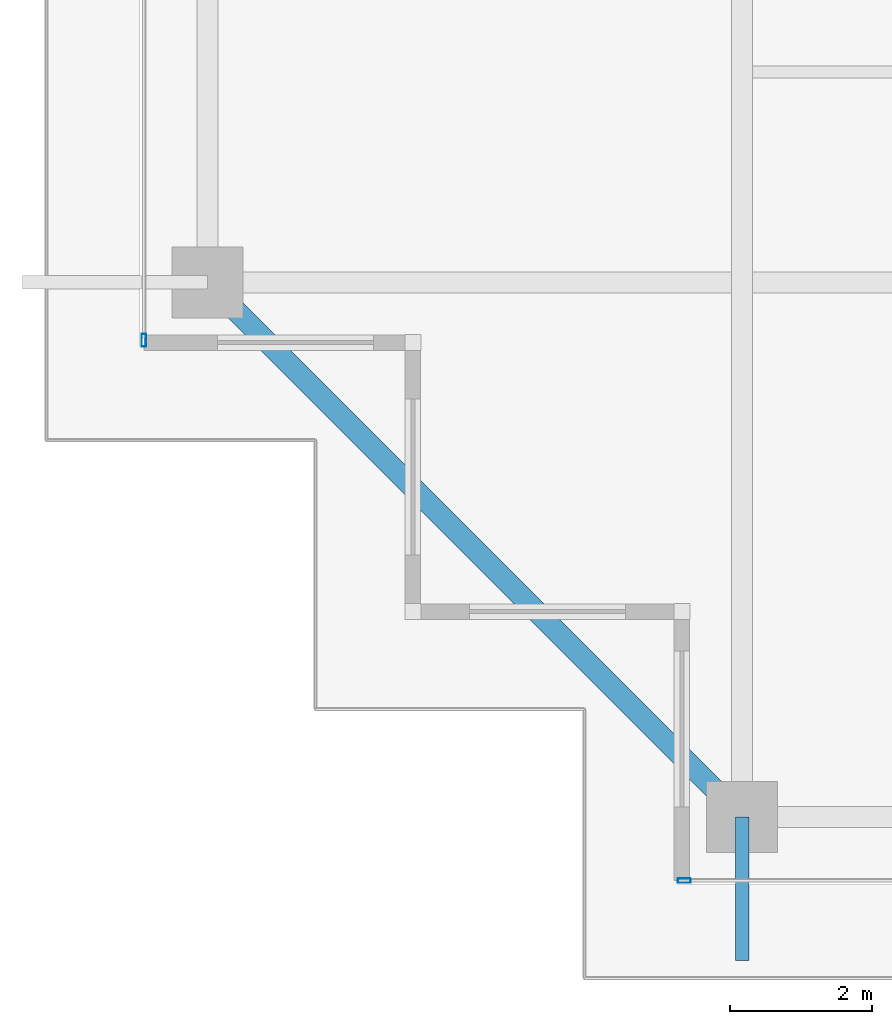
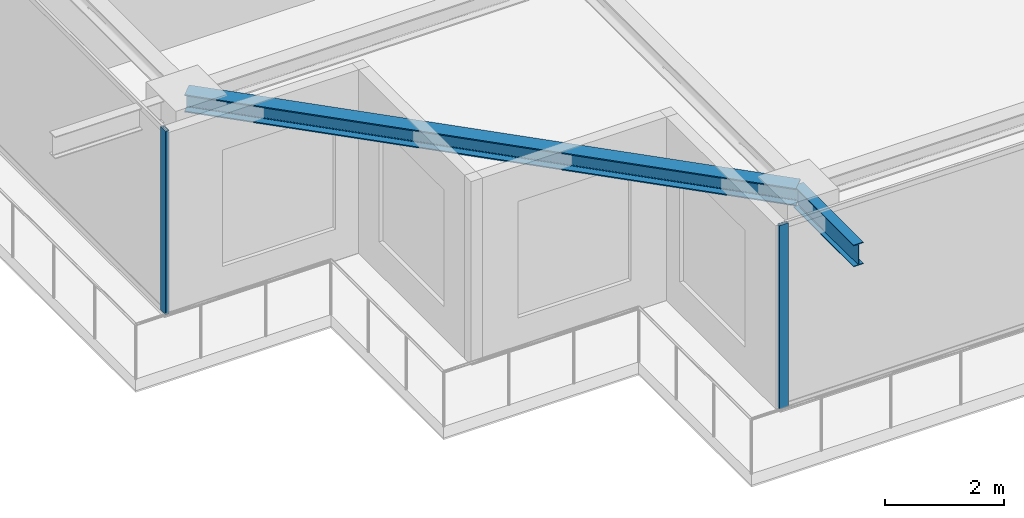
# One storey, part 2 of 39: 2 beams, 2 members, 2 elements without a shape of their own.
"""IFC4 building model written with IfcOpenShell, lengths in metres."""

from ifc_helpers import new_model, si_unit, direction, frame, origin, origin_2d, place, context, subcontext, project, spatial, hollow_rectangle, i_section, extrude, source, transform, mapped, material, layer, layer_set, material_profile, profile_set, type_object, element, aggregate, save


model = new_model("IFC4")

# Units and contexts
model_context = context("Model", 3, precision=1e-05, world=origin(), true_north=direction((0.0, 1.0)))
body_context = subcontext(model_context, "Body", "Model", "MODEL_VIEW")
ifc_project = project(units=[si_unit("LENGTHUNIT", "METRE"), si_unit("AREAUNIT", "SQUARE_METRE"), si_unit("VOLUMEUNIT", "CUBIC_METRE"), si_unit("PLANEANGLEUNIT", "RADIAN"), si_unit("MASSUNIT", "GRAM", prefix="KILO")], contexts=[model_context])

# Site, building, storey
site_placement = place(None, origin())
site = spatial("IfcSite", under=ifc_project, at=site_placement, CompositionType="ELEMENT")
building_placement = place(site_placement, origin())
building = spatial("IfcBuilding", under=site, at=building_placement, Name="Serunith Strait Residences", CompositionType="ELEMENT")
storey_placement = place(building_placement, frame((0.0, 0.0, 329.89990234375)))
storey = spatial("IfcBuildingStorey", under=building, at=storey_placement, Name="L82", CompositionType="ELEMENT", Elevation=329.89990234375)

# Beams
ifc_material_1 = material(Name="Steel S355J2", Category="steel")
ifc_material_profile_1 = material_profile(ifc_material_1, i_section(OverallWidth=0.300048828125, OverallDepth=0.360107421875, WebThickness=0.012451171875, FlangeThickness=0.0224609375, FilletRadius=0.027099609375, at=origin_2d()), Name="HEB 360")
ifc_profile_set_1 = profile_set([ifc_material_profile_1], Name="Steel S355J2")
beam_type_1 = type_object("IfcBeamType", Name="BM-HEB360", PredefinedType="BEAM", material=ifc_profile_set_1)
shared_shape_1 = source(origin(), body_context, "Body", "SweptSolid", [
    extrude(i_section(OverallWidth=0.300048828125, OverallDepth=0.360107421875, WebThickness=0.012451171875, FlangeThickness=0.0224609375, FilletRadius=0.027099609375, at=origin_2d()), origin(), (0.0, 0.0, 1.0), 10.67724609375),
])
beam_1_placement = place(storey_placement, frame((10.10009765625, 10.85009765625, 3.5771484375), z_axis=(0.707095348302, -0.707118213887, 0.0), x_axis=(0.707118213887, 0.707095348302, 0.0)))
element("IfcBeam", 1, at=beam_1_placement, inside=storey, type_object=beam_type_1, Name="L82 Perimeter Ring Beam 16", PredefinedType="BEAM", context=body_context, shape_type="MappedRepresentation", body=[
    mapped(shared_shape_1, transform((0.0, 0.0, 0.0), scale=1.0)),
])
ifc_material_profile_2 = material_profile(ifc_material_1, i_section(OverallWidth=0.18994140625, OverallDepth=0.449951171875, WebThickness=0.009521484375, FlangeThickness=0.0146484375, FilletRadius=0.02099609375, at=origin_2d()), Name="IPE 450")
ifc_profile_set_2 = profile_set([ifc_material_profile_2], Name="Steel S355J2")
beam_type_2 = type_object("IfcBeamType", Name="BM-IPE450", PredefinedType="JOIST", material=ifc_profile_set_2)
shared_shape_2 = source(origin(), body_context, "Body", "SweptSolid", [
    extrude(i_section(OverallWidth=0.18994140625, OverallDepth=0.449951171875, WebThickness=0.009521484375, FlangeThickness=0.0146484375, FilletRadius=0.02099609375, at=origin_2d()), origin(), (0.0, 0.0, 1.0), 2.030029296875),
])
beam_2_placement = place(storey_placement, frame((17.64990234375, 3.300048828125, 3.531982421875), z_axis=(0.0, -1.0, 0.0), x_axis=(1.0, 0.0, 0.0)))
element("IfcBeam", 2, at=beam_2_placement, inside=storey, type_object=beam_type_2, Name="L83 Cantilevered Balcony Rib TC-S1", PredefinedType="JOIST", context=body_context, shape_type="MappedRepresentation", body=[
    mapped(shared_shape_2, transform((0.0, 0.0, 0.0), scale=1.0)),
])

# Curtain wall, member
ifc_material_2 = material(Name="Brushed Stainless-Silver Aluminium", Category="aluminium")
ifc_layer = layer(ifc_material_2, 0.199951171875, Name="Brushed Stainless-Silver Aluminium")
ifc_layer_set = layer_set([ifc_layer], Name="Brushed Stainless-Silver Aluminium")
curtain_wall_type = type_object("IfcCurtainWallType", Name="CW-SYS5", PredefinedType="NOTDEFINED", material=ifc_layer_set)
curtain_wall_1_placement = place(storey_placement, origin())
curtain_wall_1 = element("IfcCurtainWall", 3, at=curtain_wall_1_placement, inside=storey, type_object=curtain_wall_type, Name="L82 S Unitised Fritted Curtain Wall", PredefinedType="NOTDEFINED")
ifc_material_profile_3 = material_profile(ifc_material_2, hollow_rectangle(XDim=0.06494140625, YDim=0.179931640625, WallThickness=0.00341796875, InnerFilletRadius=0.00537109375, OuterFilletRadius=0.0087890625, at=origin_2d()), Name="ALU 180x65x3.5")
ifc_profile_set_3 = profile_set([ifc_material_profile_3], Name="Brushed Stainless-Silver Aluminium")
member_type = type_object("IfcMemberType", Name="CW-SYS5-MULL", PredefinedType="MULLION", material=ifc_profile_set_3)
shared_shape_3 = source(origin(), body_context, "Body", "SweptSolid", [
    extrude(hollow_rectangle(XDim=0.06494140625, YDim=0.179931640625, WallThickness=0.00341796875, InnerFilletRadius=0.00537109375, OuterFilletRadius=0.0087890625, at=origin_2d()), origin(), (0.0, 0.0, 1.0), 3.775146484375),
])
member_1_placement = place(storey_placement, frame((16.83251953125, 2.39990234375, 0.0), z_axis=(0.0, 0.0, 1.0), x_axis=(0.0, 1.0, 0.0)))
member_1 = element("IfcMember", 4, at=member_1_placement, type_object=member_type, Name="CW-5 mullion 1", PredefinedType="MULLION", context=body_context, shape_type="MappedRepresentation", body=[
    mapped(shared_shape_3, transform((0.0, 0.0, 0.0), scale=1.0)),
])
aggregate(curtain_wall_1, [member_1])

curtain_wall_2_placement = place(storey_placement, origin())
curtain_wall_2 = element("IfcCurtainWall", 5, at=curtain_wall_2_placement, inside=storey, type_object=curtain_wall_type, Name="L82 W Unitised Fritted Curtain Wall", PredefinedType="NOTDEFINED")
member_2_placement = place(storey_placement, frame((9.199951171875, 10.032470703125, 0.0), z_axis=(0.0, 0.0, 1.0), x_axis=(1.0, 0.0, 0.0)))
member_2 = element("IfcMember", 6, at=member_2_placement, type_object=member_type, Name="CW-5 mullion 6", PredefinedType="MULLION", context=body_context, shape_type="MappedRepresentation", body=[
    mapped(shared_shape_3, transform((0.0, 0.0, 0.0), scale=1.0)),
])
aggregate(curtain_wall_2, [member_2])

save(model, "model.ifc")
